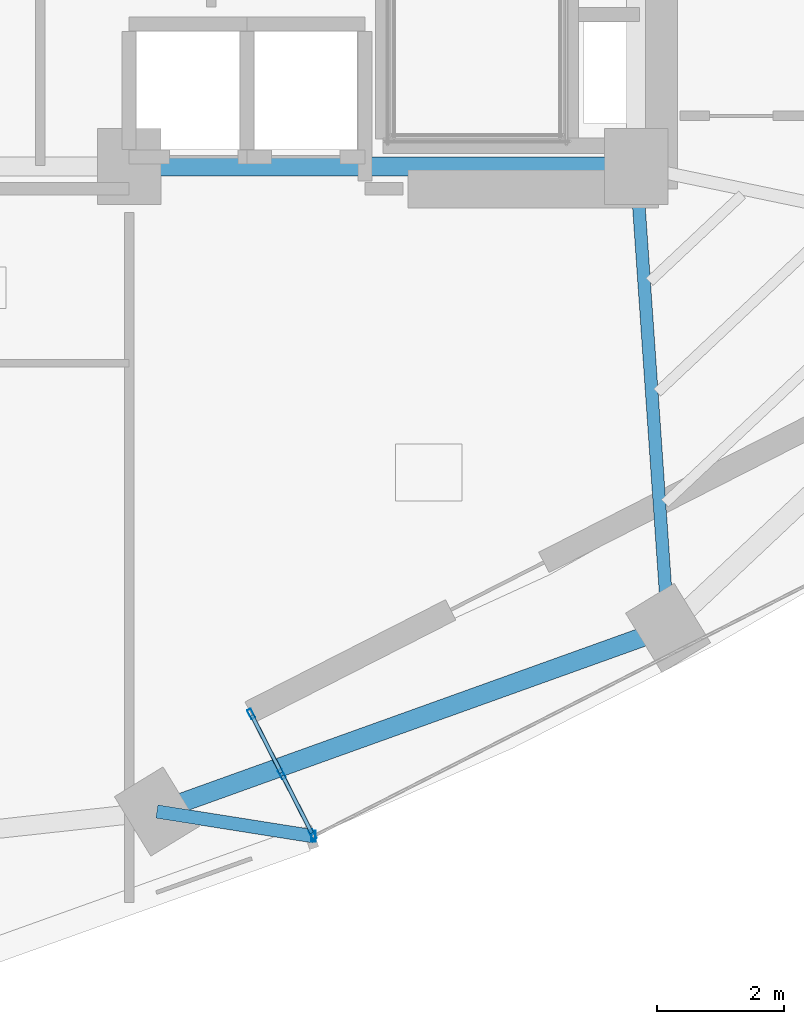
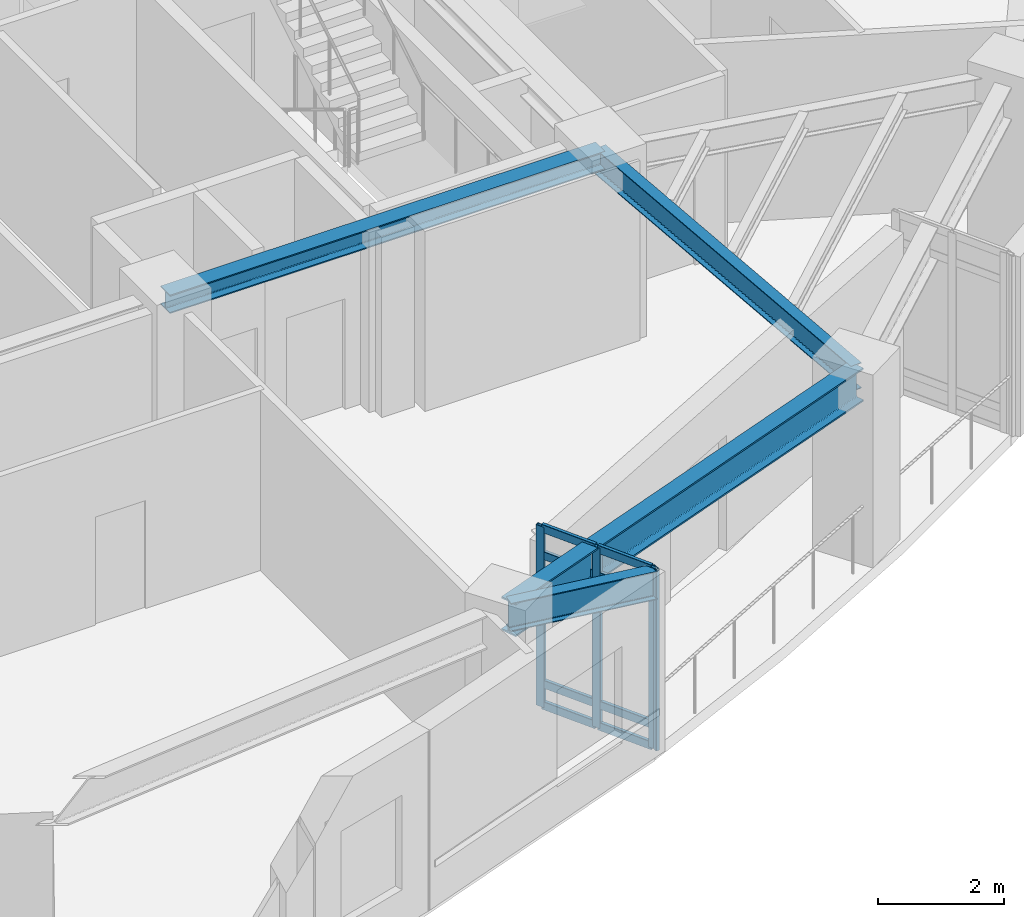
# One storey, part 2 of 11: 12 members, 4 beams, 1 element without a shape of its own.
"""IFC4 building model written with IfcOpenShell, lengths in metres."""

from ifc_helpers import new_model, si_unit, direction, frame, origin, origin_2d, place, context, subcontext, project, spatial, hollow_rectangle, i_section, extrude, material, layer, layer_set, material_profile, profile_set, type_object, element, aggregate, save


model = new_model("IFC4")

# Units and contexts
model_context = context("Model", 3, precision=1e-05, world=origin(), true_north=direction((0.0, 1.0)))
body_context = subcontext(model_context, "Body", "Model", "MODEL_VIEW")
ifc_project = project(units=[si_unit("LENGTHUNIT", "METRE"), si_unit("AREAUNIT", "SQUARE_METRE"), si_unit("VOLUMEUNIT", "CUBIC_METRE"), si_unit("PLANEANGLEUNIT", "RADIAN"), si_unit("MASSUNIT", "GRAM", prefix="KILO")], contexts=[model_context])

# Site, building, storey
site_placement = place(None, origin())
site = spatial("IfcSite", under=ifc_project, at=site_placement, CompositionType="ELEMENT")
building_placement = place(site_placement, origin())
building = spatial("IfcBuilding", under=site, at=building_placement, Name="Ndelora Gate Hotel", CompositionType="ELEMENT")
storey_placement = place(building_placement, frame((0.0, 0.0, 108.5)))
storey = spatial("IfcBuildingStorey", under=building, at=storey_placement, Name="L26", CompositionType="ELEMENT", Elevation=108.5)

# Beams
ifc_material_1 = material(Name="Steel S355", Category="steel")
ifc_material_profile_1 = material_profile(ifc_material_1, i_section(OverallWidth=0.300048828125, OverallDepth=0.360107421875, WebThickness=0.012451171875, FlangeThickness=0.0224609375, FilletRadius=0.027099609375, at=origin_2d()), Name="HEB 360")
ifc_profile_set_1 = profile_set([ifc_material_profile_1], Name="Steel S355")
beam_type_1 = type_object("IfcBeamType", Name="BM-CORE-360", PredefinedType="BEAM", material=ifc_profile_set_1)
beam_1_placement = place(storey_placement, frame((0.0, -6.60009765625, 3.320068359375), z_axis=(1.0, 0.0, 0.0), x_axis=(0.0, 1.0, 0.0)))
element("IfcBeam", 1, at=beam_1_placement, inside=storey, type_object=beam_type_1, Name="L26 Core Tie Girder CC2-CC3", PredefinedType="BEAM", context=body_context, shape_type="SweptSolid", body=[
    extrude(i_section(OverallWidth=0.300048828125, OverallDepth=0.360107421875, WebThickness=0.012451171875, FlangeThickness=0.0224609375, FilletRadius=0.027099609375, at=origin_2d()), origin(), (0.0, 0.0, 1.0), 8.0),
])
ifc_material_profile_2 = material_profile(ifc_material_1, i_section(OverallWidth=0.199951171875, OverallDepth=0.5, WebThickness=0.01025390625, FlangeThickness=0.01611328125, FilletRadius=0.02099609375, at=origin_2d()), Name="IPE 500")
ifc_profile_set_2 = profile_set([ifc_material_profile_2], Name="Steel S355")
beam_type_2 = type_object("IfcBeamType", Name="BM-RAD-500", PredefinedType="BEAM", material=ifc_profile_set_2)
beam_2_placement = place(storey_placement, frame((8.0, -6.60009765625, 3.25), z_axis=(0.069137444551, -0.997607144001, 0.0), x_axis=(0.997607144001, 0.069137444551, 0.0)))
element("IfcBeam", 2, at=beam_2_placement, inside=storey, type_object=beam_type_2, Name="L26 Radial Floor Girder 7", PredefinedType="BEAM", context=body_context, shape_type="SweptSolid", body=[
    extrude(i_section(OverallWidth=0.199951171875, OverallDepth=0.5, WebThickness=0.01025390625, FlangeThickness=0.01611328125, FilletRadius=0.02099609375, at=origin_2d()), origin(), (0.0, 0.0, 1.0), 7.295654296875),
])
ifc_material_profile_3 = material_profile(ifc_material_1, i_section(OverallWidth=0.2099609375, OverallDepth=0.550048828125, WebThickness=0.010986328125, FlangeThickness=0.01708984375, FilletRadius=0.02392578125, at=origin_2d()), Name="IPE 550")
ifc_profile_set_3 = profile_set([ifc_material_profile_3], Name="Steel S355")
beam_type_3 = type_object("IfcBeamType", Name="BM-RAD-550", PredefinedType="BEAM", material=ifc_profile_set_3)
beam_3_placement = place(storey_placement, frame((0.439208984375, -16.7744140625, 3.22509765625), z_axis=(0.987718613868, -0.156243207272, 0.0), x_axis=(0.156243207272, 0.987718613868, 0.0)))
element("IfcBeam", 3, at=beam_3_placement, inside=storey, type_object=beam_type_3, Name="L26 Sky-Garden Loggia Column Bracket 1", PredefinedType="BEAM", context=body_context, shape_type="SweptSolid", body=[
    extrude(i_section(OverallWidth=0.2099609375, OverallDepth=0.550048828125, WebThickness=0.010986328125, FlangeThickness=0.01708984375, FilletRadius=0.02392578125, at=origin_2d()), origin(), (0.0, 0.0, 1.0), 2.501708984375),
])
ifc_material_profile_4 = material_profile(ifc_material_1, i_section(OverallWidth=0.300048828125, OverallDepth=0.64990234375, WebThickness=0.01611328125, FlangeThickness=0.031005859375, FilletRadius=0.027099609375, at=origin_2d()), Name="HEB 650")
ifc_profile_set_4 = profile_set([ifc_material_profile_4], Name="Steel S355")
beam_type_4 = type_object("IfcBeamType", Name="BM-RING-650", PredefinedType="SPANDREL", material=ifc_profile_set_4)
beam_4_placement = place(storey_placement, frame((0.439208984375, -16.7744140625, 3.175048828125), z_axis=(0.941155870835, 0.337972819607, 0.0), x_axis=(-0.337972819607, 0.941155870835, 0.0)))
element("IfcBeam", 4, at=beam_4_placement, inside=storey, type_object=beam_type_4, Name="L26 Perimeter Spandrel Girder 6", PredefinedType="SPANDREL", context=body_context, shape_type="SweptSolid", body=[
    extrude(i_section(OverallWidth=0.300048828125, OverallDepth=0.64990234375, WebThickness=0.01611328125, FlangeThickness=0.031005859375, FilletRadius=0.027099609375, at=origin_2d()), origin(), (0.0, 0.0, 1.0), 8.5693359375),
])

# Curtain wall, members
ifc_material_2 = material(Name="Bronze Anodised Unitised Aluminium and Low-E Glass", Category="aluminium")
ifc_layer = layer(ifc_material_2, 0.199951171875)
ifc_layer_set = layer_set([ifc_layer], Name="Bronze Anodised Unitised Aluminium and Low-E Glass")
curtain_wall_type = type_object("IfcCurtainWallType", Name="CW-SYS-3", PredefinedType="NOTDEFINED", material=ifc_layer_set)
curtain_wall_placement = place(storey_placement, origin())
curtain_wall = element("IfcCurtainWall", 5, at=curtain_wall_placement, inside=storey, type_object=curtain_wall_type, Name="L26 Sky-Garden Loggia Side Curtain Wall CW3-1", PredefinedType="NOTDEFINED")
ifc_material_3 = material(Name="Bronze Anodised Aluminium 6063-T6", Category="aluminium")
ifc_material_profile_5 = material_profile(ifc_material_3, hollow_rectangle(XDim=0.06494140625, YDim=0.159912109375, WallThickness=0.00390625, InnerFilletRadius=0.00390625, OuterFilletRadius=0.008056640625, at=origin_2d()), Name="ALU 160x65x4")
ifc_profile_set_5 = profile_set([ifc_material_profile_5], Name="Bronze Anodised Aluminium 6063-T6")
member_type_1 = type_object("IfcMemberType", Name="MB-CW-MUL150", PredefinedType="MULLION", material=ifc_profile_set_5)
member_1_placement = place(storey_placement, frame((1.926025390625, -15.234130859375, -0.00390625), z_axis=(0.0, 0.0, 1.0), x_axis=(0.891001336507, 0.454000680995, 0.0)))
member_1 = element("IfcMember", 6, at=member_1_placement, type_object=member_type_1, Name="CW3 mullion 1", PredefinedType="MULLION", context=body_context, shape_type="SweptSolid", body=[
    extrude(hollow_rectangle(XDim=0.06494140625, YDim=0.159912109375, WallThickness=0.00390625, InnerFilletRadius=0.00390625, OuterFilletRadius=0.008056640625, at=origin_2d()), origin(), (0.0, 0.0, 1.0), 3.5078125),
])
member_2_placement = place(storey_placement, frame((2.41064453125, -16.185302734375, -0.00390625), z_axis=(0.0, 0.0, 1.0), x_axis=(0.891001336507, 0.454000680995, 0.0)))
member_2 = element("IfcMember", 7, at=member_2_placement, type_object=member_type_1, Name="CW3 mullion 2", PredefinedType="MULLION", context=body_context, shape_type="SweptSolid", body=[
    extrude(hollow_rectangle(XDim=0.06494140625, YDim=0.159912109375, WallThickness=0.00390625, InnerFilletRadius=0.00390625, OuterFilletRadius=0.008056640625, at=origin_2d()), origin(), (0.0, 0.0, 1.0), 3.5078125),
])
member_3_placement = place(storey_placement, frame((2.895263671875, -17.136474609375, -0.00390625), z_axis=(0.0, 0.0, 1.0), x_axis=(0.891001336507, 0.454000680995, 0.0)))
member_3 = element("IfcMember", 8, at=member_3_placement, type_object=member_type_1, Name="CW3 mullion 3", PredefinedType="MULLION", context=body_context, shape_type="SweptSolid", body=[
    extrude(hollow_rectangle(XDim=0.06494140625, YDim=0.159912109375, WallThickness=0.00390625, InnerFilletRadius=0.00390625, OuterFilletRadius=0.008056640625, at=origin_2d()), origin(), (0.0, 0.0, 1.0), 3.5078125),
])
ifc_material_profile_6 = material_profile(ifc_material_3, hollow_rectangle(XDim=0.070068359375, YDim=0.179931640625, WallThickness=0.0048828125, InnerFilletRadius=0.0048828125, OuterFilletRadius=0.010009765625, at=origin_2d()), Name="ALU 180x70x5")
ifc_profile_set_6 = profile_set([ifc_material_profile_6], Name="Bronze Anodised Aluminium 6063-T6")
member_type_2 = type_object("IfcMemberType", Name="MB-CW-MUL180", PredefinedType="MULLION", material=ifc_profile_set_6)
member_4_placement = place(storey_placement, frame((2.91015625, -17.165283203125, 0.0), z_axis=(0.0, 0.0, 1.0), x_axis=(1.0, 0.0, 0.0)))
member_4 = element("IfcMember", 9, at=member_4_placement, type_object=member_type_2, Name="L26 Sky-Garden Loggia Corner Mullion Post 1", PredefinedType="MULLION", context=body_context, shape_type="SweptSolid", body=[
    extrude(hollow_rectangle(XDim=0.070068359375, YDim=0.179931640625, WallThickness=0.0048828125, InnerFilletRadius=0.0048828125, OuterFilletRadius=0.010009765625, at=origin_2d()), origin(), (0.0, 0.0, 1.0), 3.5),
])
ifc_material_profile_7 = material_profile(ifc_material_3, hollow_rectangle(XDim=0.06494140625, YDim=0.159912109375, WallThickness=0.00390625, InnerFilletRadius=0.00390625, OuterFilletRadius=0.008056640625, at=origin_2d()), Name="ALU 160x65x4")
ifc_profile_set_7 = profile_set([ifc_material_profile_7], Name="Bronze Anodised Aluminium 6063-T6")
member_type_3 = type_object("IfcMemberType", Name="MB-CW-TRN150", PredefinedType="USERDEFINED", material=ifc_profile_set_7)
member_5_placement = place(storey_placement, frame((1.93798828125, -15.2578125, 0.032470703125), z_axis=(0.454131264886, -0.890934786756, 0.0), x_axis=(0.890934786756, 0.454131264886, 0.0)))
member_5 = element("IfcMember", 10, at=member_5_placement, type_object=member_type_3, Name="CW3 transom 1.1", ObjectType="TRANSOM", PredefinedType="USERDEFINED", context=body_context, shape_type="SweptSolid", body=[
    extrude(hollow_rectangle(XDim=0.06494140625, YDim=0.159912109375, WallThickness=0.00390625, InnerFilletRadius=0.00390625, OuterFilletRadius=0.008056640625, at=origin_2d()), origin(), (0.0, 0.0, 1.0), 1.014404296875),
])
member_6_placement = place(storey_placement, frame((1.93798828125, -15.2578125, 0.449951171875), z_axis=(0.454131264886, -0.890934786756, 0.0), x_axis=(0.890934786756, 0.454131264886, 0.0)))
member_6 = element("IfcMember", 11, at=member_6_placement, type_object=member_type_3, Name="CW3 transom 1.2", ObjectType="TRANSOM", PredefinedType="USERDEFINED", context=body_context, shape_type="SweptSolid", body=[
    extrude(hollow_rectangle(XDim=0.06494140625, YDim=0.159912109375, WallThickness=0.00390625, InnerFilletRadius=0.00390625, OuterFilletRadius=0.008056640625, at=origin_2d()), origin(), (0.0, 0.0, 1.0), 1.014404296875),
])
member_7_placement = place(storey_placement, frame((1.93798828125, -15.2578125, 2.949951171875), z_axis=(0.454131264886, -0.890934786756, 0.0), x_axis=(0.890934786756, 0.454131264886, 0.0)))
member_7 = element("IfcMember", 12, at=member_7_placement, type_object=member_type_3, Name="CW3 transom 1.3", ObjectType="TRANSOM", PredefinedType="USERDEFINED", context=body_context, shape_type="SweptSolid", body=[
    extrude(hollow_rectangle(XDim=0.06494140625, YDim=0.159912109375, WallThickness=0.00390625, InnerFilletRadius=0.00390625, OuterFilletRadius=0.008056640625, at=origin_2d()), origin(), (0.0, 0.0, 1.0), 1.014404296875),
])
member_8_placement = place(storey_placement, frame((1.93798828125, -15.2578125, 3.467529296875), z_axis=(0.454131264886, -0.890934786756, 0.0), x_axis=(0.890934786756, 0.454131264886, 0.0)))
member_8 = element("IfcMember", 13, at=member_8_placement, type_object=member_type_3, Name="CW3 transom 1.4", ObjectType="TRANSOM", PredefinedType="USERDEFINED", context=body_context, shape_type="SweptSolid", body=[
    extrude(hollow_rectangle(XDim=0.06494140625, YDim=0.159912109375, WallThickness=0.00390625, InnerFilletRadius=0.00390625, OuterFilletRadius=0.008056640625, at=origin_2d()), origin(), (0.0, 0.0, 1.0), 1.014404296875),
])
member_9_placement = place(storey_placement, frame((2.4228515625, -16.208984375, 0.032470703125), z_axis=(0.453940203675, -0.891032149525, 0.0), x_axis=(0.891032149525, 0.453940203675, 0.0)))
member_9 = element("IfcMember", 14, at=member_9_placement, type_object=member_type_3, Name="CW3 transom 2.1", ObjectType="TRANSOM", PredefinedType="USERDEFINED", context=body_context, shape_type="SweptSolid", body=[
    extrude(hollow_rectangle(XDim=0.06494140625, YDim=0.159912109375, WallThickness=0.00390625, InnerFilletRadius=0.00390625, OuterFilletRadius=0.008056640625, at=origin_2d()), origin(), (0.0, 0.0, 1.0), 1.014404296875),
])
member_10_placement = place(storey_placement, frame((2.4228515625, -16.208984375, 0.449951171875), z_axis=(0.453940203675, -0.891032149525, 0.0), x_axis=(0.891032149525, 0.453940203675, 0.0)))
member_10 = element("IfcMember", 15, at=member_10_placement, type_object=member_type_3, Name="CW3 transom 2.2", ObjectType="TRANSOM", PredefinedType="USERDEFINED", context=body_context, shape_type="SweptSolid", body=[
    extrude(hollow_rectangle(XDim=0.06494140625, YDim=0.159912109375, WallThickness=0.00390625, InnerFilletRadius=0.00390625, OuterFilletRadius=0.008056640625, at=origin_2d()), origin(), (0.0, 0.0, 1.0), 1.014404296875),
])
member_11_placement = place(storey_placement, frame((2.4228515625, -16.208984375, 2.949951171875), z_axis=(0.453940203675, -0.891032149525, 0.0), x_axis=(0.891032149525, 0.453940203675, 0.0)))
member_11 = element("IfcMember", 16, at=member_11_placement, type_object=member_type_3, Name="CW3 transom 2.3", ObjectType="TRANSOM", PredefinedType="USERDEFINED", context=body_context, shape_type="SweptSolid", body=[
    extrude(hollow_rectangle(XDim=0.06494140625, YDim=0.159912109375, WallThickness=0.00390625, InnerFilletRadius=0.00390625, OuterFilletRadius=0.008056640625, at=origin_2d()), origin(), (0.0, 0.0, 1.0), 1.014404296875),
])
member_12_placement = place(storey_placement, frame((2.4228515625, -16.208984375, 3.467529296875), z_axis=(0.453940203675, -0.891032149525, 0.0), x_axis=(0.891032149525, 0.453940203675, 0.0)))
member_12 = element("IfcMember", 17, at=member_12_placement, type_object=member_type_3, Name="CW3 transom 2.4", ObjectType="TRANSOM", PredefinedType="USERDEFINED", context=body_context, shape_type="SweptSolid", body=[
    extrude(hollow_rectangle(XDim=0.06494140625, YDim=0.159912109375, WallThickness=0.00390625, InnerFilletRadius=0.00390625, OuterFilletRadius=0.008056640625, at=origin_2d()), origin(), (0.0, 0.0, 1.0), 1.014404296875),
])
aggregate(curtain_wall, [member_1, member_2, member_3, member_5, member_6, member_7, member_8, member_9, member_10, member_11, member_12, member_4])

save(model, "model.ifc")
